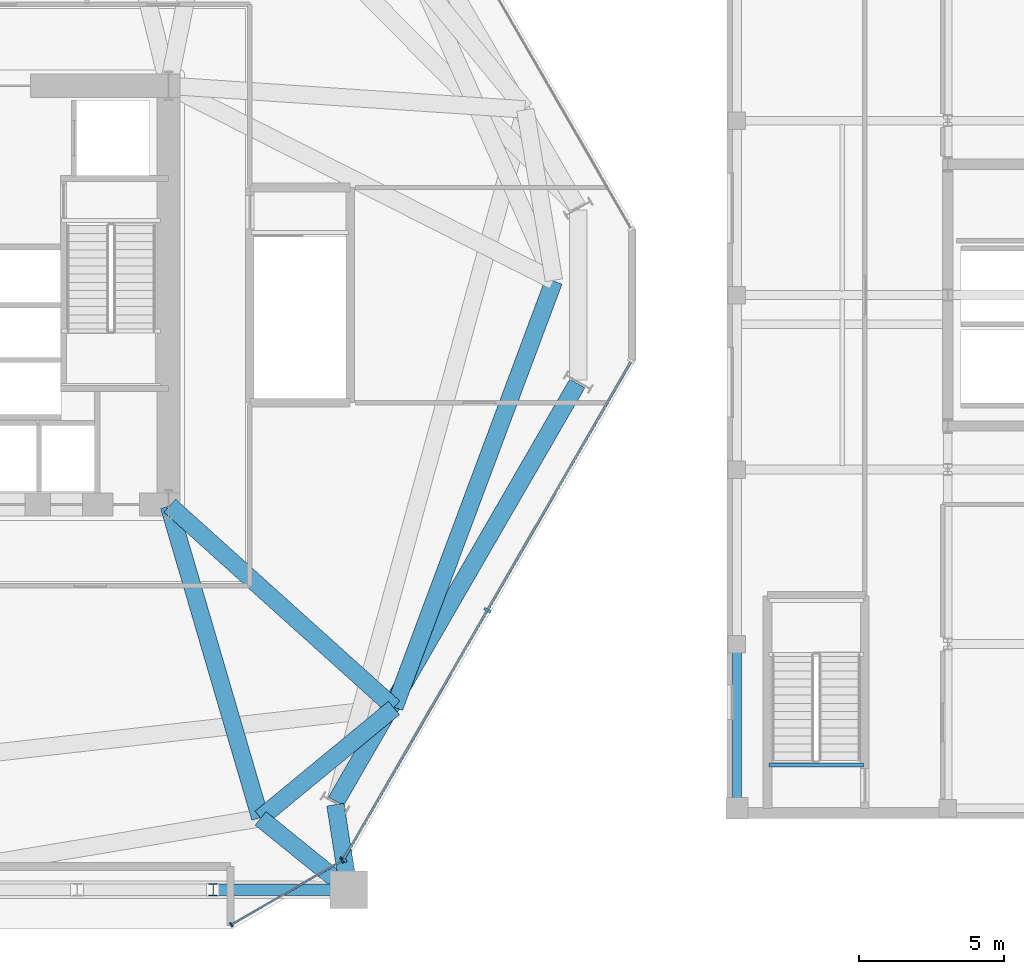
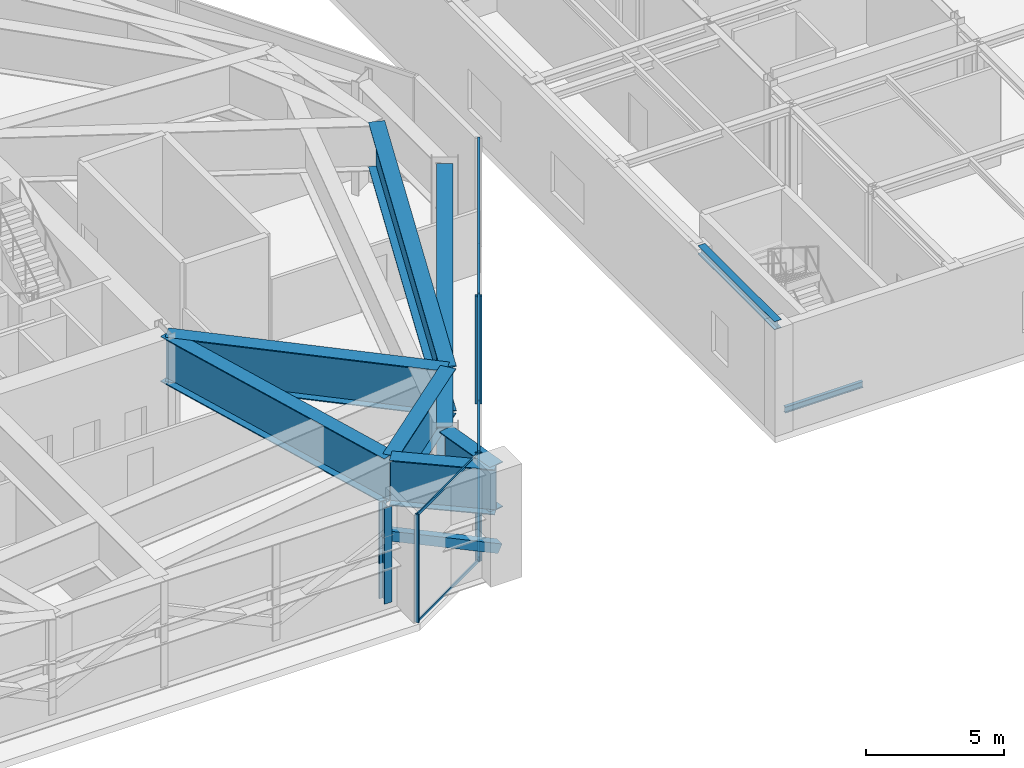
# One storey, part 7 of 16: 12 members, 9 beams, 2 elements without a shape of their own.
"""IFC4 building model written with IfcOpenShell, lengths in metres."""

from ifc_helpers import new_model, si_unit, direction, frame, origin, origin_2d, place, context, subcontext, project, spatial, rectangle, hollow_rectangle, i_section, extrude, material, layer, layer_set, material_profile, profile_set, type_object, element, aggregate, save


model = new_model("IFC4")

# Units and contexts
model_context = context("Model", 3, precision=1e-05, world=origin(), true_north=direction((0.0, 1.0)))
body_context = subcontext(model_context, "Body", "Model", "MODEL_VIEW")
ifc_project = project(units=[si_unit("LENGTHUNIT", "METRE"), si_unit("AREAUNIT", "SQUARE_METRE"), si_unit("VOLUMEUNIT", "CUBIC_METRE"), si_unit("PLANEANGLEUNIT", "RADIAN"), si_unit("MASSUNIT", "GRAM", prefix="KILO")], contexts=[model_context])

# Site, building, storey
site_placement = place(None, origin())
site = spatial("IfcSite", under=ifc_project, at=site_placement, CompositionType="ELEMENT")
building_placement = place(site_placement, origin())
building = spatial("IfcBuilding", under=site, at=building_placement, Name="Kranzbogen Civic Tower", CompositionType="ELEMENT")
storey_placement = place(building_placement, frame((0.0, 0.0, 19.0)))
storey = spatial("IfcBuildingStorey", under=building, at=storey_placement, Name="L04", CompositionType="ELEMENT", Elevation=19.0)

# Curtain wall, members
ifc_material_1 = material(Name="Pale Anodised Aluminium", Category="aluminium")
ifc_layer_1 = layer(ifc_material_1, 0.219970703125, Name="Pale Anodised Aluminium")
ifc_layer_set_1 = layer_set([ifc_layer_1], Name="Pale Anodised Aluminium")
curtain_wall_type_1 = type_object("IfcCurtainWallType", Name="Chamfer Facet Stick Curtain Wall System CW-06", PredefinedType="USERDEFINED", material=ifc_layer_set_1)
curtain_wall_1_placement = place(storey_placement, origin())
curtain_wall_1 = element("IfcCurtainWall", 1, at=curtain_wall_1_placement, inside=storey, type_object=curtain_wall_type_1, Name="L04 curtain wall CW-L04-C5", ObjectType="STICK CURTAIN WALL", PredefinedType="USERDEFINED")
ifc_material_profile_1 = material_profile(ifc_material_1, rectangle(XDim=0.06005859375, YDim=0.159912109375, at=origin_2d()), Name="ALU-M 60x160")
ifc_profile_set_1 = profile_set([ifc_material_profile_1], Name="Pale Anodised Aluminium")
member_type_1 = type_object("IfcMemberType", Name="Curtain Wall Mullion ALU-M 60x160", PredefinedType="MULLION", material=ifc_profile_set_1)
member_1_placement = place(storey_placement, frame((34.9560546875, 3.342041015625, 0.0), z_axis=(0.0, 0.0, 1.0), x_axis=(0.865992001897, 0.500057849305, 0.0)))
member_1 = element("IfcMember", 2, at=member_1_placement, type_object=member_type_1, Name="CW-06 mullion 1", PredefinedType="MULLION", context=body_context, shape_type="SweptSolid", body=[
    extrude(rectangle(XDim=0.06005859375, YDim=0.159912109375, at=origin_2d()), origin(), (0.0, 0.0, 1.0), 4.760009765625),
])
member_2_placement = place(storey_placement, frame((38.778076171875, 5.549072265625, 0.0), z_axis=(0.0, 0.0, 1.0), x_axis=(0.865992001897, 0.500057849305, 0.0)))
member_2 = element("IfcMember", 3, at=member_2_placement, type_object=member_type_1, Name="CW-06 mullion 2", PredefinedType="MULLION", context=body_context, shape_type="SweptSolid", body=[
    extrude(rectangle(XDim=0.06005859375, YDim=0.159912109375, at=origin_2d()), origin(), (0.0, 0.0, 1.0), 4.760009765625),
])

ifc_layer_2 = layer(ifc_material_1, 0.219970703125, Name="Pale Anodised Aluminium")
ifc_layer_set_2 = layer_set([ifc_layer_2], Name="Pale Anodised Aluminium")
curtain_wall_type_2 = type_object("IfcCurtainWallType", Name="Podium Stick Curtain Wall System CW-01", PredefinedType="USERDEFINED", material=ifc_layer_set_2)
curtain_wall_2_placement = place(storey_placement, origin())
curtain_wall_2 = element("IfcCurtainWall", 4, at=curtain_wall_2_placement, inside=storey, type_object=curtain_wall_type_2, Name="L04 curtain wall CW-L04-F6", ObjectType="STICK CURTAIN WALL", PredefinedType="USERDEFINED")
ifc_material_profile_2 = material_profile(ifc_material_1, rectangle(XDim=0.0849609375, YDim=0.260009765625, at=origin_2d()), Name="ALU-M 85x260")
ifc_profile_set_2 = profile_set([ifc_material_profile_2], Name="Pale Anodised Aluminium")
member_type_2 = type_object("IfcMemberType", Name="Curtain Wall Mullion ALU-M 85x260", PredefinedType="MULLION", material=ifc_profile_set_2)
member_3_placement = place(storey_placement, frame((38.819091796875, 5.590087890625, 0.0), z_axis=(0.0, 0.0, 1.0), x_axis=(0.500005767433, 0.86602207393, 0.0)))
member_3 = element("IfcMember", 5, at=member_3_placement, type_object=member_type_2, Name="CW-01 mullion 1", PredefinedType="MULLION", context=body_context, shape_type="SweptSolid", body=[
    extrude(rectangle(XDim=0.0849609375, YDim=0.260009765625, at=origin_2d()), origin(), (0.0, 0.0, 1.0), 4.760009765625),
])
member_4_placement = place(storey_placement, frame((43.76904296875, 14.16357421875, 0.0), z_axis=(0.0, 0.0, 1.0), x_axis=(0.500005767433, 0.86602207393, 0.0)))
member_4 = element("IfcMember", 6, at=member_4_placement, type_object=member_type_2, Name="CW-01 mullion 2", PredefinedType="MULLION", context=body_context, shape_type="SweptSolid", body=[
    extrude(rectangle(XDim=0.0849609375, YDim=0.260009765625, at=origin_2d()), origin(), (0.0, 0.0, 1.0), 4.760009765625),
])

# Member
ifc_material_profile_3 = material_profile(ifc_material_1, rectangle(XDim=0.06005859375, YDim=0.1201171875, at=origin_2d()), Name="ALU-T 60x120")
ifc_profile_set_3 = profile_set([ifc_material_profile_3], Name="Pale Anodised Aluminium")
member_type_3 = type_object("IfcMemberType", Name="Curtain Wall Transom ALU-T 60x120", PredefinedType="USERDEFINED", material=ifc_profile_set_3)
member_5_placement = place(storey_placement, frame((34.98193359375, 3.35693359375, 0.030029296875), z_axis=(0.865987588642, 0.500065492029, 0.0), x_axis=(-0.500065492029, 0.865987588642, 0.0)))
member_5 = element("IfcMember", 7, at=member_5_placement, type_object=member_type_3, Name="CW-06 transom 1.1", ObjectType="TRANSOM", PredefinedType="USERDEFINED", context=body_context, shape_type="SweptSolid", body=[
    extrude(rectangle(XDim=0.06005859375, YDim=0.1201171875, at=origin_2d()), origin(), (0.0, 0.0, 1.0), 4.353515625),
])

member_6_placement = place(storey_placement, frame((34.98193359375, 3.35693359375, 4.72998046875), z_axis=(0.865987588642, 0.500065492029, 0.0), x_axis=(-0.500065492029, 0.865987588642, 0.0)))
member_6 = element("IfcMember", 8, at=member_6_placement, type_object=member_type_3, Name="CW-06 transom 1.2", ObjectType="TRANSOM", PredefinedType="USERDEFINED", context=body_context, shape_type="SweptSolid", body=[
    extrude(rectangle(XDim=0.06005859375, YDim=0.1201171875, at=origin_2d()), origin(), (0.0, 0.0, 1.0), 4.353515625),
])

aggregate(curtain_wall_1, [member_1, member_2, member_5, member_6])

ifc_material_profile_4 = material_profile(ifc_material_1, rectangle(XDim=0.0849609375, YDim=0.195068359375, at=origin_2d()), Name="ALU-T 85x195")
ifc_profile_set_4 = profile_set([ifc_material_profile_4], Name="Pale Anodised Aluminium")
member_type_4 = type_object("IfcMemberType", Name="Curtain Wall Transom ALU-T 85x195", PredefinedType="USERDEFINED", material=ifc_profile_set_4)
member_7_placement = place(storey_placement, frame((38.833984375, 5.615966796875, 0.030029296875), z_axis=(0.500003092839, 0.866023618125, 0.0), x_axis=(-0.866023618125, 0.500003092839, 0.0)))
member_7 = element("IfcMember", 9, at=member_7_placement, type_object=member_type_4, Name="CW-01 transom 1.1", ObjectType="TRANSOM", PredefinedType="USERDEFINED", context=body_context, shape_type="SweptSolid", body=[
    extrude(rectangle(XDim=0.0849609375, YDim=0.195068359375, at=origin_2d()), origin(), (0.0, 0.0, 1.0), 9.83984375),
])

member_8_placement = place(storey_placement, frame((38.833984375, 5.615966796875, 4.72998046875), z_axis=(0.500003092839, 0.866023618125, 0.0), x_axis=(-0.866023618125, 0.500003092839, 0.0)))
member_8 = element("IfcMember", 10, at=member_8_placement, type_object=member_type_4, Name="CW-01 transom 1.2", ObjectType="TRANSOM", PredefinedType="USERDEFINED", context=body_context, shape_type="SweptSolid", body=[
    extrude(rectangle(XDim=0.0849609375, YDim=0.195068359375, at=origin_2d()), origin(), (0.0, 0.0, 1.0), 9.83984375),
])

member_9_placement = place(storey_placement, frame((43.783935546875, 14.189453125, 0.030029296875), z_axis=(0.500021701106, 0.866012874282, 0.0), x_axis=(-0.866012874282, 0.500021701106, 0.0)))
member_9 = element("IfcMember", 11, at=member_9_placement, type_object=member_type_4, Name="CW-01 transom 2.1", ObjectType="TRANSOM", PredefinedType="USERDEFINED", context=body_context, shape_type="SweptSolid", body=[
    extrude(rectangle(XDim=0.0849609375, YDim=0.195068359375, at=origin_2d()), origin(), (0.0, 0.0, 1.0), 9.83984375),
])

member_10_placement = place(storey_placement, frame((43.783935546875, 14.189453125, 4.72998046875), z_axis=(0.500021701106, 0.866012874282, 0.0), x_axis=(-0.866012874282, 0.500021701106, 0.0)))
member_10 = element("IfcMember", 12, at=member_10_placement, type_object=member_type_4, Name="CW-01 transom 2.2", ObjectType="TRANSOM", PredefinedType="USERDEFINED", context=body_context, shape_type="SweptSolid", body=[
    extrude(rectangle(XDim=0.0849609375, YDim=0.195068359375, at=origin_2d()), origin(), (0.0, 0.0, 1.0), 9.83984375),
])

aggregate(curtain_wall_2, [member_3, member_4, member_7, member_8, member_9, member_10])

# Beam
ifc_material_2 = material(Name="Steel S355", Category="steel")
ifc_material_profile_5 = material_profile(ifc_material_2, i_section(OverallWidth=0.300048828125, OverallDepth=0.360107421875, WebThickness=0.012451171875, FlangeThickness=0.0224609375, at=origin_2d()), Name="HEB 360")
ifc_profile_set_5 = profile_set([ifc_material_profile_5], Name="Steel S355")
beam_type_1 = type_object("IfcBeamType", Name="Health Centre Primary Floor Beam HEB 360", PredefinedType="BEAM", material=ifc_profile_set_5)
beam_1_placement = place(storey_placement, frame((52.35009765625, 7.409912109375, 4.550048828125), z_axis=(0.0, 1.0, 0.0), x_axis=(-1.0, 0.0, 0.0)))
element("IfcBeam", 13, at=beam_1_placement, inside=storey, type_object=beam_type_1, Name="L04 Health Centre Y girder 1-1", PredefinedType="BEAM", context=body_context, shape_type="SweptSolid", body=[
    extrude(i_section(OverallWidth=0.300048828125, OverallDepth=0.360107421875, WebThickness=0.012451171875, FlangeThickness=0.0224609375, at=origin_2d()), origin(), (0.0, 0.0, 1.0), 5.530029296875),
])

# Members
ifc_material_3 = material(Name="Steel S460", Category="steel")
ifc_material_profile_6 = material_profile(ifc_material_3, hollow_rectangle(XDim=0.39990234375, YDim=0.39990234375, WallThickness=0.02490234375, at=origin_2d()), Name="SHS 400x400x25")
ifc_profile_set_6 = profile_set([ifc_material_profile_6], Name="Steel S460")
member_type_5 = type_object("IfcMemberType", Name="Portal Arch Diagonal SHS 400x400x25", PredefinedType="BRACE", material=ifc_profile_set_6)
member_11_placement = place(storey_placement, frame((39.0, 4.550048828125, 1.199951171875), z_axis=(-0.904506344758, 0.0, 0.426460164955), x_axis=(0.0, -1.0, 0.0)))
element("IfcMember", 14, at=member_11_placement, inside=storey, type_object=member_type_5, Name="DG-400: L04 portal arch diagonal 6", PredefinedType="BRACE", context=body_context, shape_type="SweptSolid", body=[
    extrude(hollow_rectangle(XDim=0.39990234375, YDim=0.39990234375, WallThickness=0.02490234375, at=origin_2d()), origin(), (0.0, 0.0, 1.0), 5.15869140625),
])
ifc_material_profile_7 = material_profile(ifc_material_3, i_section(OverallWidth=0.306884765625, OverallDepth=0.431884765625, WebThickness=0.02099609375, FlangeThickness=0.0400390625, at=origin_2d()), Name="HEM 400")
ifc_profile_set_7 = profile_set([ifc_material_profile_7], Name="Steel S460")
member_type_6 = type_object("IfcMemberType", Name="Portal Arch Web Post HEM 400", PredefinedType="POST", material=ifc_profile_set_7)
member_12_placement = place(storey_placement, frame((34.333984375, 4.550048828125, 0.449951171875), z_axis=(0.0, 0.0, 1.0), x_axis=(1.0, 0.0, 0.0)))
element("IfcMember", 15, at=member_12_placement, inside=storey, type_object=member_type_6, Name="PST-4: L04 portal arch web post 5", PredefinedType="POST", context=body_context, shape_type="SweptSolid", body=[
    extrude(i_section(OverallWidth=0.306884765625, OverallDepth=0.431884765625, WebThickness=0.02099609375, FlangeThickness=0.0400390625, at=origin_2d()), origin(), (0.0, 0.0, 1.0), 4.25),
])

# Beams
ifc_material_profile_8 = material_profile(ifc_material_2, i_section(OverallWidth=0.135009765625, OverallDepth=0.27001953125, WebThickness=0.006591796875, FlangeThickness=0.01025390625, at=origin_2d()), Name="IPE 270")
ifc_profile_set_8 = profile_set([ifc_material_profile_8], Name="Steel S355")
beam_type_2 = type_object("IfcBeamType", Name="Stair Landing Support Beam IPE 270", PredefinedType="JOIST", material=ifc_profile_set_8)
beam_2_placement = place(storey_placement, frame((56.699951171875, 8.840087890625, -0.43505859375), z_axis=(-1.0, 0.0, 0.0), x_axis=(0.0, -1.0, 0.0)))
element("IfcBeam", 16, at=beam_2_placement, inside=storey, type_object=beam_type_2, Name="L04 ST-H1 stair floor header beam", PredefinedType="JOIST", context=body_context, shape_type="SweptSolid", body=[
    extrude(i_section(OverallWidth=0.135009765625, OverallDepth=0.27001953125, WebThickness=0.006591796875, FlangeThickness=0.01025390625, at=origin_2d()), origin(), (0.0, 0.0, 1.0), 3.25),
])
ifc_material_profile_9 = material_profile(ifc_material_3, i_section(OverallWidth=0.60009765625, OverallDepth=2.0, WebThickness=0.028076171875, FlangeThickness=0.0400390625, at=origin_2d()), Name="WPG 2000x600x28x40")
ifc_profile_set_9 = profile_set([ifc_material_profile_9], Name="Steel S460")
beam_type_3 = type_object("IfcBeamType", Name="Welded Transfer Girder WPG 2000x600x28x40", PredefinedType="BEAM", material=ifc_profile_set_9)
beam_3_placement = place(storey_placement, frame((38.990966796875, 4.60888671875, 3.760009765625), z_axis=(-0.155310516678, 0.9878657011, 0.0), x_axis=(-0.9878657011, -0.155310516678, 0.0)))
element("IfcBeam", 17, at=beam_3_placement, inside=storey, type_object=beam_type_3, Name="TG-2000: L04 lower perimeter transfer ring girder 04", PredefinedType="BEAM", context=body_context, shape_type="SweptSolid", body=[
    extrude(i_section(OverallWidth=0.60009765625, OverallDepth=2.0, WebThickness=0.028076171875, FlangeThickness=0.0400390625, at=origin_2d()), origin(), (0.0, 0.0, 1.0), 2.9033203125),
])
beam_4_placement = place(storey_placement, frame((38.56103515625, 7.587890625, 3.760009765625), z_axis=(0.500010210561, 0.866019508634, 0.0), x_axis=(-0.866019508634, 0.500010210561, 0.0)))
element("IfcBeam", 18, at=beam_4_placement, inside=storey, type_object=beam_type_3, Name="TG-2000: L04 lower perimeter transfer ring girder 05", PredefinedType="BEAM", context=body_context, shape_type="SweptSolid", body=[
    extrude(i_section(OverallWidth=0.60009765625, OverallDepth=2.0, WebThickness=0.028076171875, FlangeThickness=0.0400390625, at=origin_2d()), origin(), (0.0, 0.0, 1.0), 16.597900390625),
])
beam_5_placement = place(storey_placement, frame((35.969970703125, 7.02197265625, 3.760009765625), z_axis=(0.771665669364, 0.636028375723, 0.0), x_axis=(-0.636028375723, 0.771665669364, 0.0)))
element("IfcBeam", 19, at=beam_5_placement, inside=storey, type_object=beam_type_3, Name="TG-2000: L04 upper perimeter transfer ring girder 05", PredefinedType="BEAM", context=body_context, shape_type="SweptSolid", body=[
    extrude(i_section(OverallWidth=0.60009765625, OverallDepth=2.0, WebThickness=0.028076171875, FlangeThickness=0.0400390625, at=origin_2d()), origin(), (0.0, 0.0, 1.0), 5.941650390625),
])
beam_6_placement = place(storey_placement, frame((40.572021484375, 10.824951171875, 3.760009765625), z_axis=(0.35020509892, 0.936673042577, 0.0), x_axis=(-0.936673042577, 0.35020509892, 0.0)))
element("IfcBeam", 20, at=beam_6_placement, inside=storey, type_object=beam_type_3, Name="TG-2000: L04 upper perimeter transfer ring girder 06", PredefinedType="BEAM", context=body_context, shape_type="SweptSolid", body=[
    extrude(i_section(OverallWidth=0.60009765625, OverallDepth=2.0, WebThickness=0.028076171875, FlangeThickness=0.0400390625, at=origin_2d()), origin(), (0.0, 0.0, 1.0), 15.64794921875),
])
beam_7_placement = place(storey_placement, frame((32.81689453125, 17.741943359375, 3.760009765625), z_axis=(0.280964575088, -0.959718139636, 0.0), x_axis=(0.959718139636, 0.280964575088, 0.0)))
element("IfcBeam", 21, at=beam_7_placement, inside=storey, type_object=beam_type_3, Name="TG-2000: L04 radial column transfer girder 05", PredefinedType="BEAM", context=body_context, shape_type="SweptSolid", body=[
    extrude(i_section(OverallWidth=0.60009765625, OverallDepth=2.0, WebThickness=0.028076171875, FlangeThickness=0.0400390625, at=origin_2d()), origin(), (0.0, 0.0, 1.0), 11.165771484375),
])
beam_8_placement = place(storey_placement, frame((38.9609375, 4.5810546875, 3.760009765625), z_axis=(-0.777166567802, 0.629294943482, 0.0), x_axis=(-0.629294943482, -0.777166567802, 0.0)))
element("IfcBeam", 22, at=beam_8_placement, inside=storey, type_object=beam_type_3, Name="TG-2000: L04 perimeter column transfer girder 05", PredefinedType="BEAM", context=body_context, shape_type="SweptSolid", body=[
    extrude(i_section(OverallWidth=0.60009765625, OverallDepth=2.0, WebThickness=0.028076171875, FlangeThickness=0.0400390625, at=origin_2d()), origin(), (0.0, 0.0, 1.0), 3.8486328125),
])
beam_9_placement = place(storey_placement, frame((32.844970703125, 17.760009765625, 3.760009765625), z_axis=(0.743336274111, -0.668917919921, 0.0), x_axis=(0.668917919921, 0.743336274111, 0.0)))
element("IfcBeam", 23, at=beam_9_placement, inside=storey, type_object=beam_type_3, Name="TG-2000: L04 radial column transfer girder 06", PredefinedType="BEAM", context=body_context, shape_type="SweptSolid", body=[
    extrude(i_section(OverallWidth=0.60009765625, OverallDepth=2.0, WebThickness=0.028076171875, FlangeThickness=0.0400390625, at=origin_2d()), origin(), (0.0, 0.0, 1.0), 10.37353515625),
])

save(model, "model.ifc")
